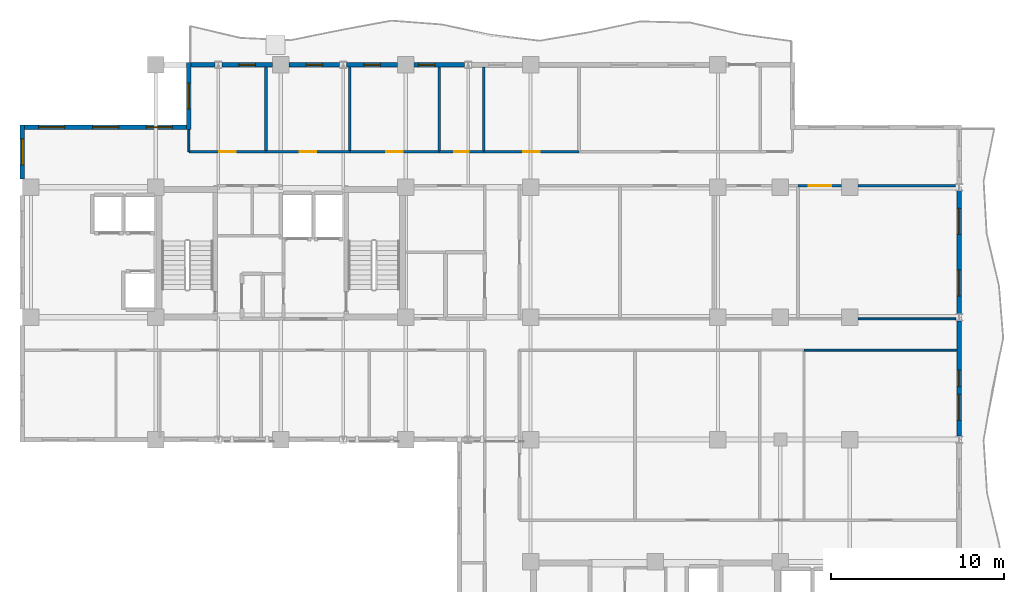
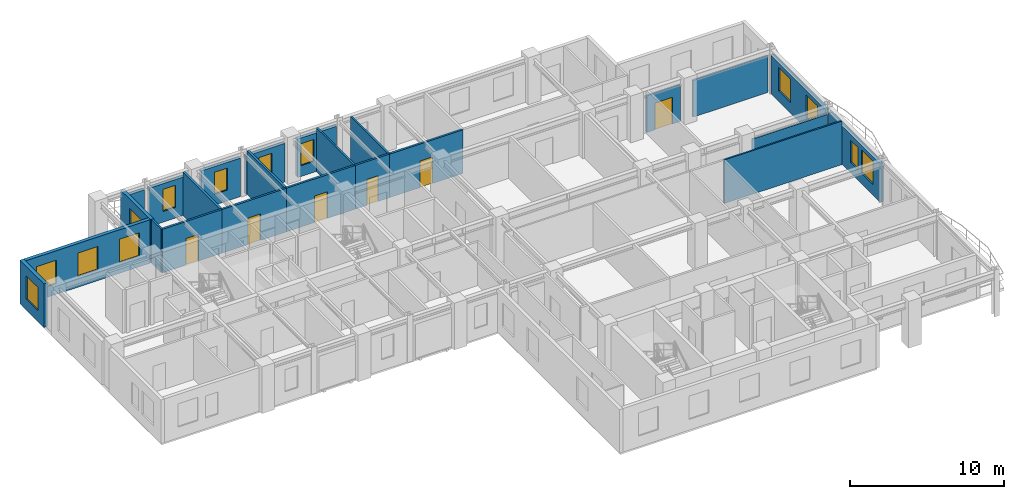
# One storey, part 9 of 14: 24 walls, 13 windows, 6 doors, 19 openings.
"""IFC4 building model written with IfcOpenShell, lengths in metres."""

from ifc_helpers import new_model, si_unit, direction, frame, frame_2d, origin, place, context, subcontext, project, spatial, rectangle, extrude, material, layer, layer_set, type_object, element, fill, save


model = new_model("IFC4")

# Units and contexts
model_context = context("Model", 3, precision=1e-05, world=origin(), true_north=direction((0.0, 1.0)))
body_context = subcontext(model_context, "Body", "Model", "MODEL_VIEW")
ifc_project = project(units=[si_unit("LENGTHUNIT", "METRE"), si_unit("AREAUNIT", "SQUARE_METRE"), si_unit("VOLUMEUNIT", "CUBIC_METRE"), si_unit("PLANEANGLEUNIT", "RADIAN"), si_unit("MASSUNIT", "GRAM", prefix="KILO")], contexts=[model_context])

# Site, building, storey
site_placement = place(None, origin())
site = spatial("IfcSite", under=ifc_project, at=site_placement, CompositionType="ELEMENT")
building_placement = place(site_placement, origin())
building = spatial("IfcBuilding", under=site, at=building_placement, Name="Kaliganga Portal Commons", CompositionType="ELEMENT")
storey_placement = place(building_placement, frame((0.0, 0.0, 227.699951171875)))
storey = spatial("IfcBuildingStorey", under=building, at=storey_placement, Name="L58", CompositionType="ELEMENT", Elevation=227.699951171875)

# Wall, openings, windows
ifc_material_1 = material(Name="Insulated Aluminium-Clad Spandrel Assembly", Category="aluminium")
ifc_layer_1 = layer(ifc_material_1, 0.260009765625)
ifc_layer_set_1 = layer_set([ifc_layer_1], Name="Insulated Aluminium-Clad Spandrel Assembly")
wall_type_1 = type_object("IfcWallType", Name="WL-EXT-SPAND-260", PredefinedType="STANDARD", material=ifc_layer_set_1)
wall_1_placement = place(storey_placement, frame((60.699951171875, 28.448974609375, 0.0), z_axis=(0.0, 0.0, 1.0), x_axis=(0.0, -1.0, 0.0)))
wall_1 = element("IfcWall", 1, at=wall_1_placement, inside=storey, type_object=wall_type_1, Name="Exterior Envelope Wall L58 P1-E03-S3", PredefinedType="STANDARD", context=body_context, shape_type="SweptSolid", body=[
    extrude(rectangle(XDim=6.64794921875, YDim=0.260009765625, at=frame_2d((3.323974609375, 0.0))), origin(), (0.0, 0.0, 1.0), 3.050048828125),
])
opening_1_placement = place(wall_1_placement, frame((4.236083984375, 0.0, 0.85009765625)))
opening_1 = element("IfcOpeningElement", 2, at=opening_1_placement, cuts=wall_1, Name="Opening W-02", PredefinedType="OPENING", context=body_context, shape_type="SweptSolid", body=[
    extrude(rectangle(XDim=1.5, YDim=1.85009765625, at=frame_2d((0.75, 0.925048828125))), frame((0.0, 0.14013671875, 0.0), z_axis=(0.0, -1.0, 0.0), x_axis=(1.0, 0.0, 0.0)), (0.0, 0.0, 1.0), 0.280029296875),
])
opening_2_placement = place(wall_1_placement, frame((2.84912109375, 0.0, 0.85009765625)))
opening_2 = element("IfcOpeningElement", 3, at=opening_2_placement, cuts=wall_1, Name="Opening W-04", PredefinedType="OPENING", context=body_context, shape_type="SweptSolid", body=[
    extrude(rectangle(XDim=0.949951171875, YDim=1.75, at=frame_2d((0.47509765625, 0.875))), frame((0.0, 0.14013671875, 0.0), z_axis=(0.0, -1.0, 0.0), x_axis=(1.0, 0.0, 0.0)), (0.0, 0.0, 1.0), 0.280029296875),
])
ifc_material_2 = material(Name="Thermally Broken Aluminium and Low-E Double Glazing", Category="aluminium")
window_type_1 = type_object("IfcWindowType", Name="WIN-NARROW-950", PartitioningType="SINGLE_PANEL", PredefinedType="WINDOW", material=ifc_material_2)
window_1_placement = place(opening_2_placement, origin())
window_1 = element("IfcWindow", 4, at=window_1_placement, inside=storey, type_object=window_type_1, Name="Facade Window L58-P1E03S3-N0", OverallHeight=1.75, OverallWidth=0.949951171875, PartitioningType="SINGLE_PANEL", PredefinedType="WINDOW", context=body_context, shape_type="SweptSolid", body=[
    extrude(rectangle(XDim=0.949951171875, YDim=1.75, at=frame_2d((0.47509765625, 0.875))), frame((0.0, 0.030029296875, 0.0), z_axis=(0.0, -1.0, 0.0), x_axis=(1.0, 0.0, 0.0)), (0.0, 0.0, 1.0), 0.06005859375),
])
fill(opening_2, window_1)
window_type_2 = type_object("IfcWindowType", Name="WIN-STD-1500", PartitioningType="DOUBLE_PANEL_VERTICAL", PredefinedType="WINDOW", material=ifc_material_2)
window_2_placement = place(opening_1_placement, origin())
window_2 = element("IfcWindow", 5, at=window_2_placement, inside=storey, type_object=window_type_2, Name="Facade Window L58-P1E03S3-01", OverallHeight=1.85009765625, OverallWidth=1.5, PartitioningType="SINGLE_PANEL", PredefinedType="WINDOW", context=body_context, shape_type="SweptSolid", body=[
    extrude(rectangle(XDim=1.5, YDim=1.85009765625, at=frame_2d((0.75, 0.925048828125))), frame((0.0, 0.030029296875, 0.0), z_axis=(0.0, -1.0, 0.0), x_axis=(1.0, 0.0, 0.0)), (0.0, 0.0, 1.0), 0.06005859375),
])
fill(opening_1, window_2)

wall_2_placement = place(storey_placement, frame((60.699951171875, 35.948974609375, 0.0), z_axis=(0.0, 0.0, 1.0), x_axis=(0.0, -1.0, 0.0)))
wall_2 = element("IfcWall", 6, at=wall_2_placement, inside=storey, type_object=wall_type_1, Name="Exterior Envelope Wall L58 P1-E03-S4", PredefinedType="STANDARD", context=body_context, shape_type="SweptSolid", body=[
    extrude(rectangle(XDim=7.097900390625, YDim=0.260009765625, at=frame_2d((3.548828125, 0.0))), origin(), (0.0, 0.0, 1.0), 3.050048828125),
])
opening_3_placement = place(wall_2_placement, frame((1.0244140625, 0.0, 0.85009765625)))
opening_3 = element("IfcOpeningElement", 7, at=opening_3_placement, cuts=wall_2, Name="Opening W-02", PredefinedType="OPENING", context=body_context, shape_type="SweptSolid", body=[
    extrude(rectangle(XDim=1.5, YDim=1.85009765625, at=frame_2d((0.75, 0.925048828125))), frame((0.0, 0.14013671875, 0.0), z_axis=(0.0, -1.0, 0.0), x_axis=(1.0, 0.0, 0.0)), (0.0, 0.0, 1.0), 0.280029296875),
])
opening_4_placement = place(wall_2_placement, frame((4.573486328125, 0.0, 0.85009765625)))
opening_4 = element("IfcOpeningElement", 8, at=opening_4_placement, cuts=wall_2, Name="Opening W-02", PredefinedType="OPENING", context=body_context, shape_type="SweptSolid", body=[
    extrude(rectangle(XDim=1.5, YDim=1.85009765625, at=frame_2d((0.75, 0.925048828125))), frame((0.0, 0.14013671875, 0.0), z_axis=(0.0, -1.0, 0.0), x_axis=(1.0, 0.0, 0.0)), (0.0, 0.0, 1.0), 0.280029296875),
])
window_3_placement = place(opening_3_placement, origin())
window_3 = element("IfcWindow", 9, at=window_3_placement, inside=storey, type_object=window_type_2, Name="Facade Window L58-P1E03S4-00", OverallHeight=1.85009765625, OverallWidth=1.5, PartitioningType="SINGLE_PANEL", PredefinedType="WINDOW", context=body_context, shape_type="SweptSolid", body=[
    extrude(rectangle(XDim=1.5, YDim=1.85009765625, at=frame_2d((0.75, 0.925048828125))), frame((0.0, 0.030029296875, 0.0), z_axis=(0.0, -1.0, 0.0), x_axis=(1.0, 0.0, 0.0)), (0.0, 0.0, 1.0), 0.06005859375),
])
fill(opening_3, window_3)
window_4_placement = place(opening_4_placement, origin())
window_4 = element("IfcWindow", 10, at=window_4_placement, inside=storey, type_object=window_type_2, Name="Facade Window L58-P1E03S4-01", OverallHeight=1.85009765625, OverallWidth=1.5, PartitioningType="SINGLE_PANEL", PredefinedType="WINDOW", context=body_context, shape_type="SweptSolid", body=[
    extrude(rectangle(XDim=1.5, YDim=1.85009765625, at=frame_2d((0.75, 0.925048828125))), frame((0.0, 0.030029296875, 0.0), z_axis=(0.0, -1.0, 0.0), x_axis=(1.0, 0.0, 0.0)), (0.0, 0.0, 1.0), 0.06005859375),
])
fill(opening_4, window_4)

# Wall, opening, window
wall_3_placement = place(storey_placement, frame((29.27587890625, 43.199951171875, 0.0), z_axis=(0.0, 0.0, 1.0), x_axis=(1.0, 0.0, 0.0)))
wall_3 = element("IfcWall", 11, at=wall_3_placement, inside=storey, type_object=wall_type_1, Name="Exterior Envelope Wall L58 P1-E06-S4", PredefinedType="STANDARD", context=body_context, shape_type="SweptSolid", body=[
    extrude(rectangle(XDim=2.923583984375, YDim=0.260009765625, at=frame_2d((1.4619140625, 0.0))), origin(), (0.0, 0.0, 1.0), 3.050048828125),
])
opening_5_placement = place(wall_3_placement, frame((0.26171875, 0.0, 0.85009765625)))
opening_5 = element("IfcOpeningElement", 12, at=opening_5_placement, cuts=wall_3, Name="Opening W-04", PredefinedType="OPENING", context=body_context, shape_type="SweptSolid", body=[
    extrude(rectangle(XDim=0.949951171875, YDim=1.75, at=frame_2d((0.47509765625, 0.875))), frame((0.0, 0.14013671875, 0.0), z_axis=(0.0, -1.0, 0.0), x_axis=(1.0, 0.0, 0.0)), (0.0, 0.0, 1.0), 0.280029296875),
])
window_5_placement = place(opening_5_placement, origin())
window_5 = element("IfcWindow", 13, at=window_5_placement, inside=storey, type_object=window_type_1, Name="Facade Window L58-P1E06S4-N1", OverallHeight=1.75, OverallWidth=0.949951171875, PartitioningType="SINGLE_PANEL", PredefinedType="WINDOW", context=body_context, shape_type="SweptSolid", body=[
    extrude(rectangle(XDim=0.949951171875, YDim=1.75, at=frame_2d((0.47509765625, 0.875))), frame((0.0, 0.030029296875, 0.0), z_axis=(0.0, -1.0, 0.0), x_axis=(1.0, 0.0, 0.0)), (0.0, 0.0, 1.0), 0.06005859375),
])
fill(opening_5, window_5)

wall_4_placement = place(storey_placement, frame((25.400390625, 43.199951171875, 0.0), z_axis=(0.0, 0.0, 1.0), x_axis=(1.0, 0.0, 0.0)))
wall_4 = element("IfcWall", 14, at=wall_4_placement, inside=storey, type_object=wall_type_1, Name="Exterior Envelope Wall L58 P1-E06-S5", PredefinedType="STANDARD", context=body_context, shape_type="SweptSolid", body=[
    extrude(rectangle(XDim=2.923583984375, YDim=0.260009765625, at=frame_2d((1.4619140625, 0.0))), origin(), (0.0, 0.0, 1.0), 3.050048828125),
])
opening_6_placement = place(wall_4_placement, frame((0.98681640625, 0.0, 0.85009765625)))
opening_6 = element("IfcOpeningElement", 15, at=opening_6_placement, cuts=wall_4, Name="Opening W-04", PredefinedType="OPENING", context=body_context, shape_type="SweptSolid", body=[
    extrude(rectangle(XDim=0.949951171875, YDim=1.75, at=frame_2d((0.47509765625, 0.875))), frame((0.0, 0.14013671875, 0.0), z_axis=(0.0, -1.0, 0.0), x_axis=(1.0, 0.0, 0.0)), (0.0, 0.0, 1.0), 0.280029296875),
])
window_6_placement = place(opening_6_placement, origin())
window_6 = element("IfcWindow", 16, at=window_6_placement, inside=storey, type_object=window_type_1, Name="Facade Window L58-P1E06S5-00", OverallHeight=1.75, OverallWidth=0.949951171875, PartitioningType="SINGLE_PANEL", PredefinedType="WINDOW", context=body_context, shape_type="SweptSolid", body=[
    extrude(rectangle(XDim=0.949951171875, YDim=1.75, at=frame_2d((0.47509765625, 0.875))), frame((0.0, 0.030029296875, 0.0), z_axis=(0.0, -1.0, 0.0), x_axis=(1.0, 0.0, 0.0)), (0.0, 0.0, 1.0), 0.06005859375),
])
fill(opening_6, window_6)

wall_5_placement = place(storey_placement, frame((22.075927734375, 43.199951171875, 0.0), z_axis=(0.0, 0.0, 1.0), x_axis=(1.0, 0.0, 0.0)))
wall_5 = element("IfcWall", 17, at=wall_5_placement, inside=storey, type_object=wall_type_1, Name="Exterior Envelope Wall L58 P1-E06-S6", PredefinedType="STANDARD", context=body_context, shape_type="SweptSolid", body=[
    extrude(rectangle(XDim=2.923583984375, YDim=0.260009765625, at=frame_2d((1.4619140625, 0.0))), origin(), (0.0, 0.0, 1.0), 3.050048828125),
])
opening_7_placement = place(wall_5_placement, frame((0.98681640625, 0.0, 0.85009765625)))
opening_7 = element("IfcOpeningElement", 18, at=opening_7_placement, cuts=wall_5, Name="Opening W-04", PredefinedType="OPENING", context=body_context, shape_type="SweptSolid", body=[
    extrude(rectangle(XDim=0.949951171875, YDim=1.75, at=frame_2d((0.47509765625, 0.875))), frame((0.0, 0.14013671875, 0.0), z_axis=(0.0, -1.0, 0.0), x_axis=(1.0, 0.0, 0.0)), (0.0, 0.0, 1.0), 0.280029296875),
])
window_7_placement = place(opening_7_placement, origin())
window_7 = element("IfcWindow", 19, at=window_7_placement, inside=storey, type_object=window_type_1, Name="Facade Window L58-P1E06S6-00", OverallHeight=1.75, OverallWidth=0.949951171875, PartitioningType="SINGLE_PANEL", PredefinedType="WINDOW", context=body_context, shape_type="SweptSolid", body=[
    extrude(rectangle(XDim=0.949951171875, YDim=1.75, at=frame_2d((0.47509765625, 0.875))), frame((0.0, 0.030029296875, 0.0), z_axis=(0.0, -1.0, 0.0), x_axis=(1.0, 0.0, 0.0)), (0.0, 0.0, 1.0), 0.06005859375),
])
fill(opening_7, window_7)

wall_6_placement = place(storey_placement, frame((18.200439453125, 43.199951171875, 0.0), z_axis=(0.0, 0.0, 1.0), x_axis=(1.0, 0.0, 0.0)))
wall_6 = element("IfcWall", 20, at=wall_6_placement, inside=storey, type_object=wall_type_1, Name="Exterior Envelope Wall L58 P1-E06-S7", PredefinedType="STANDARD", context=body_context, shape_type="SweptSolid", body=[
    extrude(rectangle(XDim=2.923583984375, YDim=0.260009765625, at=frame_2d((1.4619140625, 0.0))), origin(), (0.0, 0.0, 1.0), 3.050048828125),
])
opening_8_placement = place(wall_6_placement, frame((0.98681640625, 0.0, 0.85009765625)))
opening_8 = element("IfcOpeningElement", 21, at=opening_8_placement, cuts=wall_6, Name="Opening W-04", PredefinedType="OPENING", context=body_context, shape_type="SweptSolid", body=[
    extrude(rectangle(XDim=0.949951171875, YDim=1.75, at=frame_2d((0.47509765625, 0.875))), frame((0.0, 0.14013671875, 0.0), z_axis=(0.0, -1.0, 0.0), x_axis=(1.0, 0.0, 0.0)), (0.0, 0.0, 1.0), 0.280029296875),
])
window_8_placement = place(opening_8_placement, origin())
window_8 = element("IfcWindow", 22, at=window_8_placement, inside=storey, type_object=window_type_1, Name="Facade Window L58-P1E06S7-00", OverallHeight=1.75, OverallWidth=0.949951171875, PartitioningType="SINGLE_PANEL", PredefinedType="WINDOW", context=body_context, shape_type="SweptSolid", body=[
    extrude(rectangle(XDim=0.949951171875, YDim=1.75, at=frame_2d((0.47509765625, 0.875))), frame((0.0, 0.030029296875, 0.0), z_axis=(0.0, -1.0, 0.0), x_axis=(1.0, 0.0, 0.0)), (0.0, 0.0, 1.0), 0.06005859375),
])
fill(opening_8, window_8)

# Wall
wall_7_placement = place(storey_placement, frame((16.43505859375, 43.199951171875, 0.0), z_axis=(0.0, 0.0, 1.0), x_axis=(1.0, 0.0, 0.0)))
element("IfcWall", 23, at=wall_7_placement, inside=storey, type_object=wall_type_1, Name="Exterior Envelope Wall L58 P1-E06-S8", PredefinedType="STANDARD", context=body_context, shape_type="SweptSolid", body=[
    extrude(rectangle(XDim=1.364501953125, YDim=0.260009765625, at=frame_2d((0.68212890625, 0.0))), origin(), (0.0, 0.0, 1.0), 3.050048828125),
])

# Wall, opening, window
wall_8_placement = place(storey_placement, frame((16.300048828125, 39.469970703125, 0.0), z_axis=(0.0, 0.0, 1.0), x_axis=(0.0, 1.0, 0.0)))
wall_8 = element("IfcWall", 24, at=wall_8_placement, inside=storey, type_object=wall_type_1, Name="Exterior Envelope Wall L58 P1-E07-S1", PredefinedType="STANDARD", context=body_context, shape_type="SweptSolid", body=[
    extrude(rectangle(XDim=3.860107421875, YDim=0.260009765625, at=frame_2d((1.93017578125, 0.0))), origin(), (0.0, 0.0, 1.0), 3.449951171875),
])
opening_9_placement = place(wall_8_placement, frame((1.179931640625, 0.0, 0.85009765625)))
opening_9 = element("IfcOpeningElement", 25, at=opening_9_placement, cuts=wall_8, Name="Opening W-02", PredefinedType="OPENING", context=body_context, shape_type="SweptSolid", body=[
    extrude(rectangle(XDim=1.5, YDim=1.85009765625, at=frame_2d((0.75, 0.925048828125))), frame((0.0, 0.14013671875, 0.0), z_axis=(0.0, -1.0, 0.0), x_axis=(1.0, 0.0, 0.0)), (0.0, 0.0, 1.0), 0.280029296875),
])
window_9_placement = place(opening_9_placement, origin())
window_9 = element("IfcWindow", 26, at=window_9_placement, inside=storey, type_object=window_type_2, Name="Facade Window L58-P1E07S1-00", OverallHeight=1.85009765625, OverallWidth=1.5, PartitioningType="SINGLE_PANEL", PredefinedType="WINDOW", context=body_context, shape_type="SweptSolid", body=[
    extrude(rectangle(XDim=1.5, YDim=1.85009765625, at=frame_2d((0.75, 0.925048828125))), frame((0.0, 0.030029296875, 0.0), z_axis=(0.0, -1.0, 0.0), x_axis=(1.0, 0.0, 0.0)), (0.0, 0.0, 1.0), 0.06005859375),
])
fill(opening_9, window_9)

# Wall, openings, windows
wall_9_placement = place(storey_placement, frame((6.8349609375, 39.60009765625, 0.0), z_axis=(0.0, 0.0, 1.0), x_axis=(1.0, 0.0, 0.0)))
wall_9 = element("IfcWall", 27, at=wall_9_placement, inside=storey, type_object=wall_type_1, Name="Exterior Envelope Wall L58 P1-E08-S1", PredefinedType="STANDARD", context=body_context, shape_type="SweptSolid", body=[
    extrude(rectangle(XDim=9.330078125, YDim=0.260009765625, at=frame_2d((4.6650390625, 0.0))), origin(), (0.0, 0.0, 1.0), 3.449951171875),
])
opening_10_placement = place(wall_9_placement, frame((0.804931640625, 0.0, 0.85009765625)))
opening_10 = element("IfcOpeningElement", 28, at=opening_10_placement, cuts=wall_9, Name="Opening W-02", PredefinedType="OPENING", context=body_context, shape_type="SweptSolid", body=[
    extrude(rectangle(XDim=1.5, YDim=1.85009765625, at=frame_2d((0.75, 0.925048828125))), frame((0.0, 0.14013671875, 0.0), z_axis=(0.0, -1.0, 0.0), x_axis=(1.0, 0.0, 0.0)), (0.0, 0.0, 1.0), 0.280029296875),
])
opening_11_placement = place(wall_9_placement, frame((3.9150390625, 0.0, 0.85009765625)))
opening_11 = element("IfcOpeningElement", 29, at=opening_11_placement, cuts=wall_9, Name="Opening W-02", PredefinedType="OPENING", context=body_context, shape_type="SweptSolid", body=[
    extrude(rectangle(XDim=1.5, YDim=1.85009765625, at=frame_2d((0.75, 0.925048828125))), frame((0.0, 0.14013671875, 0.0), z_axis=(0.0, -1.0, 0.0), x_axis=(1.0, 0.0, 0.0)), (0.0, 0.0, 1.0), 0.280029296875),
])
opening_12_placement = place(wall_9_placement, frame((7.02490234375, 0.0, 0.85009765625)))
opening_12 = element("IfcOpeningElement", 30, at=opening_12_placement, cuts=wall_9, Name="Opening W-02", PredefinedType="OPENING", context=body_context, shape_type="SweptSolid", body=[
    extrude(rectangle(XDim=1.5, YDim=1.85009765625, at=frame_2d((0.75, 0.925048828125))), frame((0.0, 0.14013671875, 0.0), z_axis=(0.0, -1.0, 0.0), x_axis=(1.0, 0.0, 0.0)), (0.0, 0.0, 1.0), 0.280029296875),
])
window_10_placement = place(opening_10_placement, origin())
window_10 = element("IfcWindow", 31, at=window_10_placement, inside=storey, type_object=window_type_2, Name="Facade Window L58-P1E08S1-00", OverallHeight=1.85009765625, OverallWidth=1.5, PartitioningType="SINGLE_PANEL", PredefinedType="WINDOW", context=body_context, shape_type="SweptSolid", body=[
    extrude(rectangle(XDim=1.5, YDim=1.85009765625, at=frame_2d((0.75, 0.925048828125))), frame((0.0, 0.030029296875, 0.0), z_axis=(0.0, -1.0, 0.0), x_axis=(1.0, 0.0, 0.0)), (0.0, 0.0, 1.0), 0.06005859375),
])
fill(opening_10, window_10)
window_11_placement = place(opening_11_placement, origin())
window_11 = element("IfcWindow", 32, at=window_11_placement, inside=storey, type_object=window_type_2, Name="Facade Window L58-P1E08S1-01", OverallHeight=1.85009765625, OverallWidth=1.5, PartitioningType="SINGLE_PANEL", PredefinedType="WINDOW", context=body_context, shape_type="SweptSolid", body=[
    extrude(rectangle(XDim=1.5, YDim=1.85009765625, at=frame_2d((0.75, 0.925048828125))), frame((0.0, 0.030029296875, 0.0), z_axis=(0.0, -1.0, 0.0), x_axis=(1.0, 0.0, 0.0)), (0.0, 0.0, 1.0), 0.06005859375),
])
fill(opening_11, window_11)
window_12_placement = place(opening_12_placement, origin())
window_12 = element("IfcWindow", 33, at=window_12_placement, inside=storey, type_object=window_type_2, Name="Facade Window L58-P1E08S1-02", OverallHeight=1.85009765625, OverallWidth=1.5, PartitioningType="SINGLE_PANEL", PredefinedType="WINDOW", context=body_context, shape_type="SweptSolid", body=[
    extrude(rectangle(XDim=1.5, YDim=1.85009765625, at=frame_2d((0.75, 0.925048828125))), frame((0.0, 0.030029296875, 0.0), z_axis=(0.0, -1.0, 0.0), x_axis=(1.0, 0.0, 0.0)), (0.0, 0.0, 1.0), 0.06005859375),
])
fill(opening_12, window_12)

# Wall, opening, window
wall_10_placement = place(storey_placement, frame((6.699951171875, 36.6259765625, 0.0), z_axis=(0.0, 0.0, 1.0), x_axis=(0.0, 1.0, 0.0)))
wall_10 = element("IfcWall", 34, at=wall_10_placement, inside=storey, type_object=wall_type_1, Name="Exterior Envelope Wall L58 P1-E09-S1", PredefinedType="STANDARD", context=body_context, shape_type="SweptSolid", body=[
    extrude(rectangle(XDim=3.10400390625, YDim=0.260009765625, at=frame_2d((1.552001953125, 0.0))), origin(), (0.0, 0.0, 1.0), 3.449951171875),
])
opening_13_placement = place(wall_10_placement, frame((0.802001953125, 0.0, 0.85009765625)))
opening_13 = element("IfcOpeningElement", 35, at=opening_13_placement, cuts=wall_10, Name="Opening W-02", PredefinedType="OPENING", context=body_context, shape_type="SweptSolid", body=[
    extrude(rectangle(XDim=1.5, YDim=1.85009765625, at=frame_2d((0.75, 0.925048828125))), frame((0.0, 0.14013671875, 0.0), z_axis=(0.0, -1.0, 0.0), x_axis=(1.0, 0.0, 0.0)), (0.0, 0.0, 1.0), 0.280029296875),
])
window_13_placement = place(opening_13_placement, origin())
window_13 = element("IfcWindow", 36, at=window_13_placement, inside=storey, type_object=window_type_2, Name="Facade Window L58-P1E09S1-00", OverallHeight=1.85009765625, OverallWidth=1.5, PartitioningType="SINGLE_PANEL", PredefinedType="WINDOW", context=body_context, shape_type="SweptSolid", body=[
    extrude(rectangle(XDim=1.5, YDim=1.85009765625, at=frame_2d((0.75, 0.925048828125))), frame((0.0, 0.030029296875, 0.0), z_axis=(0.0, -1.0, 0.0), x_axis=(1.0, 0.0, 0.0)), (0.0, 0.0, 1.0), 0.06005859375),
])
fill(opening_13, window_13)

# Wall, opening, door
ifc_material_3 = material(Name="Fire-Rated Gypsum Board on Steel Stud", Category="steel")
ifc_layer_2 = layer(ifc_material_3, 0.14990234375)
ifc_layer_set_2 = layer_set([ifc_layer_2], Name="Fire-Rated Gypsum Board on Steel Stud")
wall_type_2 = type_object("IfcWallType", Name="WL-PART-CORR-150", PredefinedType="PARTITIONING", material=ifc_layer_set_2)
wall_11_placement = place(storey_placement, frame((51.419921875, 36.239990234375, 0.0), z_axis=(0.0, 0.0, 1.0), x_axis=(1.0, 0.0, 0.0)))
wall_11 = element("IfcWall", 37, at=wall_11_placement, inside=storey, type_object=wall_type_2, Name="Interior Partition L58-003", PredefinedType="PARTITIONING", context=body_context, shape_type="SweptSolid", body=[
    extrude(rectangle(XDim=2.505126953125, YDim=0.14990234375, at=frame_2d((1.25244140625, 0.0))), origin(), (0.0, 0.0, 1.0), 2.900146484375),
])
opening_14_placement = place(wall_11_placement, frame((0.6025390625, 0.0, 0.0)))
opening_14 = element("IfcOpeningElement", 38, at=opening_14_placement, cuts=wall_11, Name="Opening RD-03", PredefinedType="OPENING", context=body_context, shape_type="SweptSolid", body=[
    extrude(rectangle(XDim=1.300048828125, YDim=2.1201171875, at=frame_2d((0.64990234375, 1.06005859375))), frame((0.0, 0.0849609375, 0.0), z_axis=(0.0, -1.0, 0.0), x_axis=(1.0, 0.0, 0.0)), (0.0, 0.0, 1.0), 0.169921875),
])
ifc_material_4 = material(Name="Glazed Timber Seminar Vision Door", Category="wood")
door_type_1 = type_object("IfcDoorType", Name="DR-STUDY-1300", OperationType="DOUBLE_DOOR_SINGLE_SWING", PredefinedType="DOOR", material=ifc_material_4)
door_1_placement = place(opening_14_placement, origin())
door_1 = element("IfcDoor", 39, at=door_1_placement, inside=storey, type_object=door_type_1, Name="Interior Door L58-BK04", OperationType="DOUBLE_DOOR_SINGLE_SWING", OverallHeight=2.1201171875, OverallWidth=1.300048828125, PredefinedType="DOOR", context=body_context, shape_type="SweptSolid", body=[
    extrude(rectangle(XDim=1.300048828125, YDim=2.1201171875, at=frame_2d((0.64990234375, 1.06005859375))), frame((0.0, 0.02490234375, 0.0), z_axis=(0.0, -1.0, 0.0), x_axis=(1.0, 0.0, 0.0)), (0.0, 0.0, 1.0), 0.050048828125),
])
fill(opening_14, door_1)

# Wall
wall_12_placement = place(storey_placement, frame((54.875, 36.239990234375, 0.0), z_axis=(0.0, 0.0, 1.0), x_axis=(1.0, 0.0, 0.0)))
element("IfcWall", 40, at=wall_12_placement, inside=storey, type_object=wall_type_2, Name="Interior Partition L58-004", PredefinedType="PARTITIONING", context=body_context, shape_type="SweptSolid", body=[
    extrude(rectangle(XDim=5.62548828125, YDim=0.14990234375, at=frame_2d((2.812744140625, 0.0))), origin(), (0.0, 0.0, 1.0), 2.900146484375),
])

# Wall, opening, door
wall_13_placement = place(storey_placement, frame((33.300048828125, 38.199951171875, 0.0), z_axis=(0.0, 0.0, 1.0), x_axis=(1.0, 0.0, 0.0)))
wall_13 = element("IfcWall", 41, at=wall_13_placement, inside=storey, type_object=wall_type_2, Name="Interior Partition L58-015", PredefinedType="PARTITIONING", context=body_context, shape_type="SweptSolid", body=[
    extrude(rectangle(XDim=5.5, YDim=0.14990234375, at=frame_2d((2.75, 0.0))), origin(), (0.0, 0.0, 1.0), 3.449951171875),
])
opening_15_placement = place(wall_13_placement, frame((2.27490234375, 0.0, 0.0)))
opening_15 = element("IfcOpeningElement", 42, at=opening_15_placement, cuts=wall_13, Name="Opening UD-01", PredefinedType="OPENING", context=body_context, shape_type="SweptSolid", body=[
    extrude(rectangle(XDim=0.949951171875, YDim=2.10009765625, at=frame_2d((0.47509765625, 1.050048828125))), frame((0.0, 0.0849609375, 0.0), z_axis=(0.0, -1.0, 0.0), x_axis=(1.0, 0.0, 0.0)), (0.0, 0.0, 1.0), 0.169921875),
])
ifc_material_5 = material(Name="Solid-Core Timber Acoustic Fire Door", Category="wood")
door_type_2 = type_object("IfcDoorType", Name="DR-UNIT-950", OperationType="NOTDEFINED", PredefinedType="DOOR", material=ifc_material_5)
door_2_placement = place(opening_15_placement, origin())
door_2 = element("IfcDoor", 43, at=door_2_placement, inside=storey, type_object=door_type_2, Name="Interior Door L58-AN05", OperationType="SINGLE_SWING_RIGHT", OverallHeight=2.10009765625, OverallWidth=0.949951171875, PredefinedType="DOOR", context=body_context, shape_type="SweptSolid", body=[
    extrude(rectangle(XDim=0.949951171875, YDim=2.10009765625, at=frame_2d((0.47509765625, 1.050048828125))), frame((0.0, 0.02490234375, 0.0), z_axis=(0.0, -1.0, 0.0), x_axis=(1.0, 0.0, 0.0)), (0.0, 0.0, 1.0), 0.050048828125),
])
fill(opening_15, door_2)

wall_14_placement = place(storey_placement, frame((25.580078125, 38.199951171875, 0.0), z_axis=(0.0, 0.0, 1.0), x_axis=(1.0, 0.0, 0.0)))
wall_14 = element("IfcWall", 44, at=wall_14_placement, inside=storey, type_object=wall_type_2, Name="Interior Partition L58-018", PredefinedType="PARTITIONING", context=body_context, shape_type="SweptSolid", body=[
    extrude(rectangle(XDim=5.159912109375, YDim=0.14990234375, at=frame_2d((2.580078125, 0.0))), origin(), (0.0, 0.0, 1.0), 3.449951171875),
])
opening_16_placement = place(wall_14_placement, frame((2.10498046875, 0.0, 0.0)))
opening_16 = element("IfcOpeningElement", 45, at=opening_16_placement, cuts=wall_14, Name="Opening UD-01", PredefinedType="OPENING", context=body_context, shape_type="SweptSolid", body=[
    extrude(rectangle(XDim=0.949951171875, YDim=2.10009765625, at=frame_2d((0.47509765625, 1.050048828125))), frame((0.0, 0.0849609375, 0.0), z_axis=(0.0, -1.0, 0.0), x_axis=(1.0, 0.0, 0.0)), (0.0, 0.0, 1.0), 0.169921875),
])
door_3_placement = place(opening_16_placement, origin())
door_3 = element("IfcDoor", 46, at=door_3_placement, inside=storey, type_object=door_type_2, Name="Interior Door L58-AN03", OperationType="SINGLE_SWING_LEFT", OverallHeight=2.10009765625, OverallWidth=0.949951171875, PredefinedType="DOOR", context=body_context, shape_type="SweptSolid", body=[
    extrude(rectangle(XDim=0.949951171875, YDim=2.10009765625, at=frame_2d((0.47509765625, 1.050048828125))), frame((0.0, 0.02490234375, 0.0), z_axis=(0.0, -1.0, 0.0), x_axis=(1.0, 0.0, 0.0)), (0.0, 0.0, 1.0), 0.050048828125),
])
fill(opening_16, door_3)

wall_15_placement = place(storey_placement, frame((20.760009765625, 38.199951171875, 0.0), z_axis=(0.0, 0.0, 1.0), x_axis=(1.0, 0.0, 0.0)))
wall_15 = element("IfcWall", 47, at=wall_15_placement, inside=storey, type_object=wall_type_2, Name="Interior Partition L58-022", PredefinedType="PARTITIONING", context=body_context, shape_type="SweptSolid", body=[
    extrude(rectangle(XDim=4.820068359375, YDim=0.14990234375, at=frame_2d((2.41015625, 0.0))), origin(), (0.0, 0.0, 1.0), 3.449951171875),
])
opening_17_placement = place(wall_15_placement, frame((1.93505859375, 0.0, 0.0)))
opening_17 = element("IfcOpeningElement", 48, at=opening_17_placement, cuts=wall_15, Name="Opening UD-01", PredefinedType="OPENING", context=body_context, shape_type="SweptSolid", body=[
    extrude(rectangle(XDim=0.949951171875, YDim=2.10009765625, at=frame_2d((0.47509765625, 1.050048828125))), frame((0.0, 0.0849609375, 0.0), z_axis=(0.0, -1.0, 0.0), x_axis=(1.0, 0.0, 0.0)), (0.0, 0.0, 1.0), 0.169921875),
])
door_4_placement = place(opening_17_placement, origin())
door_4 = element("IfcDoor", 49, at=door_4_placement, inside=storey, type_object=door_type_2, Name="Interior Door L58-AN02", OperationType="SINGLE_SWING_LEFT", OverallHeight=2.10009765625, OverallWidth=0.949951171875, PredefinedType="DOOR", context=body_context, shape_type="SweptSolid", body=[
    extrude(rectangle(XDim=0.949951171875, YDim=2.10009765625, at=frame_2d((0.47509765625, 1.050048828125))), frame((0.0, 0.02490234375, 0.0), z_axis=(0.0, -1.0, 0.0), x_axis=(1.0, 0.0, 0.0)), (0.0, 0.0, 1.0), 0.050048828125),
])
fill(opening_17, door_4)

wall_16_placement = place(storey_placement, frame((16.300048828125, 38.199951171875, 0.0), z_axis=(0.0, 0.0, 1.0), x_axis=(1.0, 0.0, 0.0)))
wall_16 = element("IfcWall", 50, at=wall_16_placement, inside=storey, type_object=wall_type_2, Name="Interior Partition L58-024", PredefinedType="PARTITIONING", context=body_context, shape_type="SweptSolid", body=[
    extrude(rectangle(XDim=4.4599609375, YDim=0.14990234375, at=frame_2d((2.22998046875, 0.0))), origin(), (0.0, 0.0, 1.0), 3.449951171875),
])
opening_18_placement = place(wall_16_placement, frame((1.7548828125, 0.0, 0.0)))
opening_18 = element("IfcOpeningElement", 51, at=opening_18_placement, cuts=wall_16, Name="Opening UD-01", PredefinedType="OPENING", context=body_context, shape_type="SweptSolid", body=[
    extrude(rectangle(XDim=0.949951171875, YDim=2.10009765625, at=frame_2d((0.47509765625, 1.050048828125))), frame((0.0, 0.0849609375, 0.0), z_axis=(0.0, -1.0, 0.0), x_axis=(1.0, 0.0, 0.0)), (0.0, 0.0, 1.0), 0.169921875),
])
door_5_placement = place(opening_18_placement, origin())
door_5 = element("IfcDoor", 52, at=door_5_placement, inside=storey, type_object=door_type_2, Name="Interior Door L58-AN01", OperationType="SINGLE_SWING_LEFT", OverallHeight=2.10009765625, OverallWidth=0.949951171875, PredefinedType="DOOR", context=body_context, shape_type="SweptSolid", body=[
    extrude(rectangle(XDim=0.949951171875, YDim=2.10009765625, at=frame_2d((0.47509765625, 1.050048828125))), frame((0.0, 0.02490234375, 0.0), z_axis=(0.0, -1.0, 0.0), x_axis=(1.0, 0.0, 0.0)), (0.0, 0.0, 1.0), 0.050048828125),
])
fill(opening_18, door_5)

wall_17_placement = place(storey_placement, frame((30.739990234375, 38.199951171875, 0.0), z_axis=(0.0, 0.0, 1.0), x_axis=(1.0, 0.0, 0.0)))
wall_17 = element("IfcWall", 53, at=wall_17_placement, inside=storey, type_object=wall_type_2, Name="Interior Partition L58-029", PredefinedType="PARTITIONING", context=body_context, shape_type="SweptSolid", body=[
    extrude(rectangle(XDim=2.56005859375, YDim=0.14990234375, at=frame_2d((1.280029296875, 0.0))), origin(), (0.0, 0.0, 1.0), 3.449951171875),
])
opening_19_placement = place(wall_17_placement, frame((0.85498046875, 0.0, 0.0)))
opening_19 = element("IfcOpeningElement", 54, at=opening_19_placement, cuts=wall_17, Name="Opening WD-01", PredefinedType="OPENING", context=body_context, shape_type="SweptSolid", body=[
    extrude(rectangle(XDim=0.85009765625, YDim=2.0400390625, at=frame_2d((0.425048828125, 1.02001953125))), frame((0.0, 0.0849609375, 0.0), z_axis=(0.0, -1.0, 0.0), x_axis=(1.0, 0.0, 0.0)), (0.0, 0.0, 1.0), 0.169921875),
])
ifc_material_6 = material(Name="Moisture-Resistant Laminate Timber Door", Category="wood")
door_type_3 = type_object("IfcDoorType", Name="DR-WET-850", OperationType="NOTDEFINED", PredefinedType="DOOR", material=ifc_material_6)
door_6_placement = place(opening_19_placement, origin())
door_6 = element("IfcDoor", 55, at=door_6_placement, inside=storey, type_object=door_type_3, Name="Interior Door L58-AN04", OperationType="SINGLE_SWING_LEFT", OverallHeight=2.0400390625, OverallWidth=0.85009765625, PredefinedType="DOOR", context=body_context, shape_type="SweptSolid", body=[
    extrude(rectangle(XDim=0.85009765625, YDim=2.0400390625, at=frame_2d((0.425048828125, 1.02001953125))), frame((0.0, 0.02490234375, 0.0), z_axis=(0.0, -1.0, 0.0), x_axis=(1.0, 0.0, 0.0)), (0.0, 0.0, 1.0), 0.050048828125),
])
fill(opening_19, door_6)

# Walls
ifc_material_7 = material(Name="Moisture-Resistant Gypsum Partition", Category="gypsum")
ifc_layer_3 = layer(ifc_material_7, 0.114990234375)
ifc_layer_set_3 = layer_set([ifc_layer_3], Name="Moisture-Resistant Gypsum Partition")
wall_type_3 = type_object("IfcWallType", Name="WL-PART-ROOM-115", PredefinedType="PARTITIONING", material=ifc_layer_set_3)
wall_18_placement = place(storey_placement, frame((54.875, 28.56005859375, 0.0), z_axis=(0.0, 0.0, 1.0), x_axis=(1.0, 0.0, 0.0)))
element("IfcWall", 56, at=wall_18_placement, inside=storey, type_object=wall_type_3, Name="Interior Partition L58-049", PredefinedType="PARTITIONING", context=body_context, shape_type="SweptSolid", body=[
    extrude(rectangle(XDim=5.62548828125, YDim=0.114990234375, at=frame_2d((2.812744140625, 0.0))), origin(), (0.0, 0.0, 1.0), 2.900146484375),
])
wall_19_placement = place(storey_placement, frame((51.760009765625, 26.760009765625, 0.0), z_axis=(0.0, 0.0, 1.0), x_axis=(1.0, 0.0, 0.0)))
element("IfcWall", 57, at=wall_19_placement, inside=storey, type_object=wall_type_3, Name="Interior Partition L58-050", PredefinedType="PARTITIONING", context=body_context, shape_type="SweptSolid", body=[
    extrude(rectangle(XDim=8.80810546875, YDim=0.114990234375, at=frame_2d((4.404052734375, 0.0))), origin(), (0.0, 0.0, 1.0), 3.449951171875),
])
wall_20_placement = place(storey_placement, frame((16.300048828125, 38.199951171875, 0.0), z_axis=(0.0, 0.0, 1.0), x_axis=(0.0, 1.0, 0.0)))
element("IfcWall", 58, at=wall_20_placement, inside=storey, type_object=wall_type_3, Name="Interior Partition L58-062", PredefinedType="PARTITIONING", context=body_context, shape_type="SweptSolid", body=[
    extrude(rectangle(XDim=1.26806640625, YDim=0.114990234375, at=frame_2d((0.634033203125, 0.0))), origin(), (0.0, 0.0, 1.0), 3.449951171875),
])
ifc_material_8 = material(Name="Twin-Stud Acoustic Gypsum Partition", Category="gypsum")
ifc_layer_4 = layer(ifc_material_8, 0.1650390625)
ifc_layer_set_4 = layer_set([ifc_layer_4], Name="Twin-Stud Acoustic Gypsum Partition")
wall_type_4 = type_object("IfcWallType", Name="WL-PART-UNIT-165", PredefinedType="PARTITIONING", material=ifc_layer_set_4)
for number, where, z_axis, x_axis, name in (
    (59, (20.760009765625, 38.199951171875, 0.0), (0.0, 0.0, 1.0), (0.0, 1.0, 0.0), "Interior Partition L58-063"),
    (60, (25.580078125, 38.199951171875, 0.0), (0.0, 0.0, 1.0), (0.0, 1.0, 0.0), "Interior Partition L58-064"),
):
    element("IfcWall", number, at=place(storey_placement, frame(where, z_axis=z_axis, x_axis=x_axis)), inside=storey, type_object=wall_type_4, Name=name, PredefinedType="PARTITIONING", context=body_context, shape_type="SweptSolid", body=[
        extrude(rectangle(XDim=4.8681640625, YDim=0.1650390625, at=frame_2d((2.43408203125, 0.0))), origin(), (0.0, 0.0, 1.0), 3.449951171875),
    ])
ifc_material_9 = material(Name="Cement-Board Wet-Room Partition", Category="gypsum")
ifc_layer_5 = layer(ifc_material_9, 0.135009765625)
ifc_layer_set_5 = layer_set([ifc_layer_5], Name="Cement-Board Wet-Room Partition")
wall_type_5 = type_object("IfcWallType", Name="WL-PART-WET-135", PredefinedType="PARTITIONING", material=ifc_layer_set_5)
for number, where, z_axis, x_axis, name in (
    (61, (30.739990234375, 38.199951171875, 0.0), (0.0, 0.0, 1.0), (0.0, 1.0, 0.0), "Interior Partition L58-065"),
    (62, (33.300048828125, 38.199951171875, 0.0), (0.0, 0.0, 1.0), (0.0, 1.0, 0.0), "Interior Partition L58-066"),
):
    element("IfcWall", number, at=place(storey_placement, frame(where, z_axis=z_axis, x_axis=x_axis)), inside=storey, type_object=wall_type_5, Name=name, PredefinedType="PARTITIONING", context=body_context, shape_type="SweptSolid", body=[
        extrude(rectangle(XDim=4.8681640625, YDim=0.135009765625, at=frame_2d((2.43408203125, 0.0))), origin(), (0.0, 0.0, 1.0), 3.449951171875),
    ])

save(model, "model.ifc")
